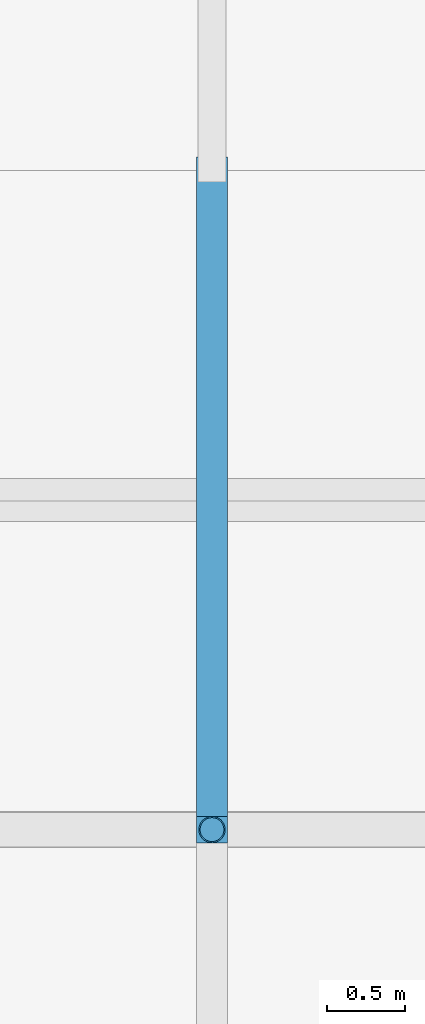
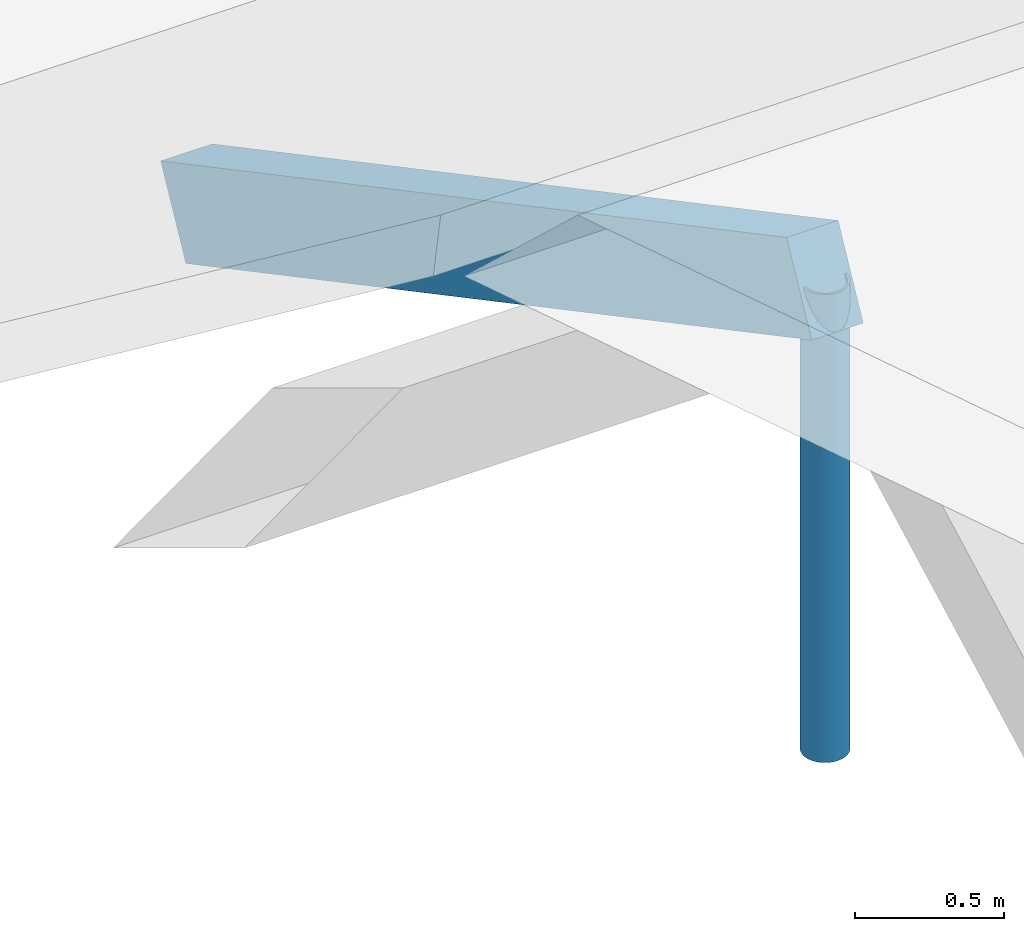
# One storey, part 25 of 82: 2 members.
"""IFC4 building model written with IfcOpenShell, lengths in metres."""

from ifc_helpers import new_model, si_unit, direction, frame, origin, origin_2d, place, context, subcontext, project, spatial, rectangle, hollow_circle, extrude, material, material_profile, profile_set, type_object, element, save


model = new_model("IFC4")

# Units and contexts
model_context = context("Model", 3, precision=1e-05, world=origin(), true_north=direction((0.0, 1.0)))
body_context = subcontext(model_context, "Body", "Model", "MODEL_VIEW")
ifc_project = project(units=[si_unit("LENGTHUNIT", "METRE"), si_unit("AREAUNIT", "SQUARE_METRE"), si_unit("VOLUMEUNIT", "CUBIC_METRE"), si_unit("PLANEANGLEUNIT", "RADIAN"), si_unit("MASSUNIT", "GRAM", prefix="KILO")], contexts=[model_context])

# Site, building, storey
site_placement = place(None, origin())
site = spatial("IfcSite", under=ifc_project, at=site_placement, CompositionType="ELEMENT")
building_placement = place(site_placement, origin())
building = spatial("IfcBuilding", under=site, at=building_placement, Name="Bramfleet General Hospital", CompositionType="ELEMENT")
storey_placement = place(building_placement, frame((0.0, 0.0, 34.199951171875)))
storey = spatial("IfcBuildingStorey", under=building, at=storey_placement, Name="Roof", CompositionType="ELEMENT", Elevation=34.199951171875)

# Members
ifc_material_1 = material(Name="Structural timber GL28h", Category="wood")
ifc_material_profile_1 = material_profile(ifc_material_1, rectangle(XDim=0.199951171875, YDim=0.360107421875, at=origin_2d()), Name="GL28h 360x200")
ifc_profile_set_1 = profile_set([ifc_material_profile_1], Name="Structural timber GL28h")
member_type_1 = type_object("IfcMemberType", Name="MEM-RF-GL360", PredefinedType="RAFTER", material=ifc_profile_set_1)
member_1_placement = place(storey_placement, frame((100.800048828125, 29.39990234375, 1.476806640625), z_axis=(0.0, 0.882958848035, -0.469450394267), x_axis=(-1.0, 0.0, 0.0)))
element("IfcMember", 1, at=member_1_placement, inside=storey, type_object=member_type_1, Name="Patient House PH-09 North Glulam Rafter 1", PredefinedType="RAFTER", context=body_context, shape_type="SweptSolid", body=[
    extrude(rectangle(XDim=0.199951171875, YDim=0.360107421875, at=origin_2d()), origin(), (0.0, 0.0, 1.0), 4.7568359375),
])
ifc_material_2 = material(Name="Steel S355", Category="steel")
ifc_material_profile_2 = material_profile(ifc_material_2, hollow_circle(Radius=0.084228515625, WallThickness=0.008056640625, at=origin_2d()), Name="CHS 168.3x8.0")
ifc_profile_set_2 = profile_set([ifc_material_profile_2], Name="Steel S355")
member_type_2 = type_object("IfcMemberType", Name="MEM-SF-DG1", PredefinedType="STRUT", material=ifc_profile_set_2)
member_2_placement = place(storey_placement, frame((100.800048828125, 29.39990234375, -0.43994140625), z_axis=(0.0, 0.0, 1.0), x_axis=(1.0, 0.0, 0.0)))
element("IfcMember", 2, at=member_2_placement, inside=storey, type_object=member_type_2, Name="Patient House PH-09 Ridge Timber Post 1", PredefinedType="STRUT", context=body_context, shape_type="SweptSolid", body=[
    extrude(hollow_circle(Radius=0.084228515625, WallThickness=0.008056640625, at=origin_2d()), origin(), (0.0, 0.0, 1.0), 1.916748046875),
])

save(model, "model.ifc")
